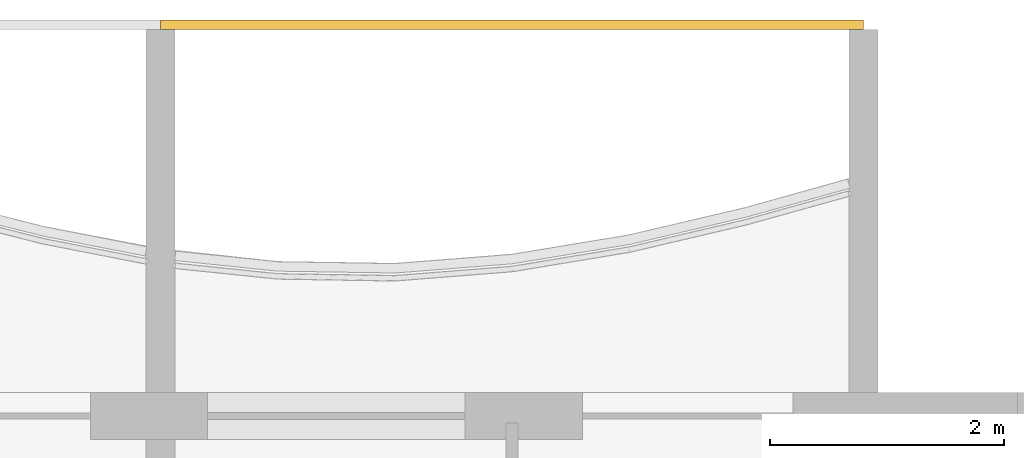
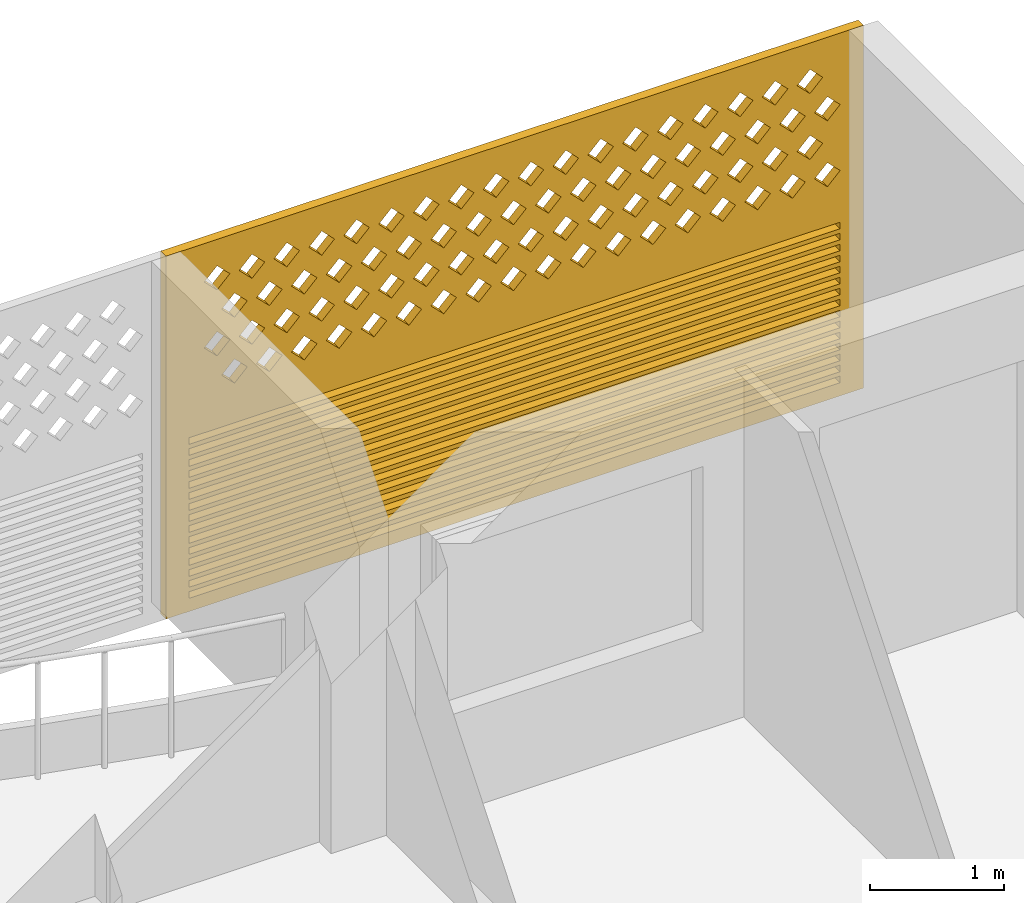
# One storey, part 29 of 29: 1 covering.
"""IFC4 building model written with IfcOpenShell, lengths in metres."""

import ifcopenshell
import ifcopenshell.guid

model = None  # the IFC model being written
_history = None  # IfcOwnerHistory: only IFC2X3 demands one
_inside = {}  # id of a spatial element -> (the spatial element, [elements in it])
_under = {}  # id of a project, library or spatial element -> (it, [spatial elements below it])
_declared = {}  # id of a project -> (the project, [libraries it declares])
_typed = {}  # id of a type object -> (the type object, [elements of that type])
_made_of = {}  # id of a material, layer set ... -> (it, [elements and type objects made of it])


def new_model(schema):
    """Start an empty IFC model of exactly this schema.

    Asked for "IFC4X3", IfcOpenShell would pick the latest addendum, in which some entities
    have other attributes; the version numbers below select the first issue.
    IFC2X3 requires an IfcOwnerHistory on every rooted entity: one is made here for all.
    """
    global model, _history
    if schema == "IFC4X3":
        model = ifcopenshell.file(schema_version=(4, 3, 0, 0))
    else:
        model = ifcopenshell.file(schema=schema)
    _inside.clear()
    _under.clear()
    _declared.clear()
    _typed.clear()
    _made_of.clear()
    _history = None
    if model.schema == "IFC2X3":
        org = make("IfcOrganization", Name="unknown")
        user = make(
            "IfcPersonAndOrganization",
            ThePerson=make("IfcPerson", FamilyName="unknown"),
            TheOrganization=org,
        )
        app = make(
            "IfcApplication",
            ApplicationDeveloper=org,
            Version="unknown",
            ApplicationFullName="unknown",
            ApplicationIdentifier="unknown",
        )
        _history = make(
            "IfcOwnerHistory",
            OwningUser=user,
            OwningApplication=app,
            ChangeAction="ADDED",
            CreationDate=0,
        )
    return model


def make(cls, **values):
    """One entity of the class cls with the attributes given. An attribute that is None is left unset."""
    return model.create_entity(
        cls, **{name: value for name, value in values.items() if value is not None}
    )


def rooted(cls, **values):
    """An entity with a GlobalId (a new one), such as an element, a storey or a relation."""
    return make(cls, GlobalId=ifcopenshell.guid.new(), OwnerHistory=_history, **values)


def si_unit(unit_type, name, prefix=None):
    """IfcSIUnit, for example si_unit("LENGTHUNIT", "METRE", prefix="MILLI")."""
    return make("IfcSIUnit", UnitType=unit_type, Prefix=prefix, Name=name)


def assignment(units):
    """IfcUnitAssignment: the units of a project."""
    return None if units is None else make("IfcUnitAssignment", Units=units)


def point(xyz):
    """IfcCartesianPoint."""
    return None if xyz is None else make("IfcCartesianPoint", Coordinates=xyz)


def direction(xyz):
    """IfcDirection."""
    return None if xyz is None else make("IfcDirection", DirectionRatios=xyz)


def frame(location, z_axis=None, x_axis=None):
    """IfcAxis2Placement3D, a coordinate frame: its origin and axes. An axis left out is left unset."""
    return make(
        "IfcAxis2Placement3D",
        Location=point(location),
        Axis=direction(z_axis),
        RefDirection=direction(x_axis),
    )


def origin():
    """The frame at (0, 0, 0) with its axes left unset."""
    return frame((0.0, 0.0, 0.0))


def place(relative_to, where):
    """IfcLocalPlacement: puts the frame where relative to a parent placement (None: the world)."""
    return make(
        "IfcLocalPlacement", PlacementRelTo=relative_to, RelativePlacement=where
    )


def context(
    kind, dimensions, precision=None, world=None, true_north=None, identifier=None
):
    """IfcGeometricRepresentationContext, for example the 3D "Model" context."""
    return make(
        "IfcGeometricRepresentationContext",
        ContextIdentifier=identifier,
        ContextType=kind,
        CoordinateSpaceDimension=dimensions,
        Precision=precision,
        WorldCoordinateSystem=world,
        TrueNorth=true_north,
    )


def subcontext(parent, identifier, kind, view, scale=None):
    """IfcGeometricRepresentationSubContext, for example "Body" below "Model"."""
    return make(
        "IfcGeometricRepresentationSubContext",
        ContextIdentifier=identifier,
        ContextType=kind,
        ParentContext=parent,
        TargetScale=scale,
        TargetView=view,
    )


def project(units=None, contexts=None):
    """IfcProject with its units and contexts."""
    return rooted(
        "IfcProject",
        Name="project",
        RepresentationContexts=contexts,
        UnitsInContext=assignment(units),
    )


def spatial(cls, under=None, at=None, **own):
    """A site, building, storey or space (cls), placed at a placement, below another one or the project."""
    s = rooted(cls, ObjectPlacement=at, **own)
    if under is not None:
        _under.setdefault(under.id(), (under, []))[1].append(s)
    return s


def polyline(points):
    """IfcPolyline through the points."""
    return make("IfcPolyline", Points=[point(p) for p in points])


def outline(outer, holes=None, kind="AREA"):
    """IfcArbitraryClosedProfileDef: a profile drawn as a closed curve; with holes, ...WithVoids."""
    if holes is None:
        return make("IfcArbitraryClosedProfileDef", ProfileType=kind, OuterCurve=outer)
    return make(
        "IfcArbitraryProfileDefWithVoids",
        ProfileType=kind,
        OuterCurve=outer,
        InnerCurves=holes,
    )


def extrude(swept, where, along, depth):
    """IfcExtrudedAreaSolid: the profile swept, set in the frame where, extruded along a direction by depth."""
    return make(
        "IfcExtrudedAreaSolid",
        SweptArea=swept,
        Position=where,
        ExtrudedDirection=direction(along),
        Depth=depth,
    )


def shape(context_of_items, identifier, shape_type, items):
    """IfcShapeRepresentation: the items that make up one representation, for example the "Body"."""
    return make(
        "IfcShapeRepresentation",
        ContextOfItems=context_of_items,
        RepresentationIdentifier=identifier,
        RepresentationType=shape_type,
        Items=items,
    )


def source(mapping_origin, context_of_items, identifier, shape_type, items):
    """IfcRepresentationMap: a shape defined once, which mapped items show again and again."""
    return make(
        "IfcRepresentationMap",
        MappingOrigin=mapping_origin,
        MappedRepresentation=shape(context_of_items, identifier, shape_type, items),
    )


def transform(
    local_origin,
    x_axis=None,
    y_axis=None,
    z_axis=None,
    scale=None,
    scale2=None,
    scale3=None,
    uniform=True,
):
    """IfcCartesianTransformationOperator3D, or its non-uniform kind. x_axis, y_axis, z_axis: its Axis1, 2, 3."""
    if uniform:
        return make(
            "IfcCartesianTransformationOperator3D",
            Axis1=direction(x_axis),
            Axis2=direction(y_axis),
            LocalOrigin=point(local_origin),
            Scale=scale,
            Axis3=direction(z_axis),
        )
    return make(
        "IfcCartesianTransformationOperator3DnonUniform",
        Axis1=direction(x_axis),
        Axis2=direction(y_axis),
        LocalOrigin=point(local_origin),
        Scale=scale,
        Axis3=direction(z_axis),
        Scale2=scale2,
        Scale3=scale3,
    )


def mapped(mapping_source, mapping_target):
    """IfcMappedItem: shows the shape of a source again, moved by a transform."""
    return make(
        "IfcMappedItem", MappingSource=mapping_source, MappingTarget=mapping_target
    )


def material(Name=None, Category=None):
    """IfcMaterial."""
    return make("IfcMaterial", Name=Name, Category=Category)


def material_profile(
    of_material, cross_section, Name=None, Category=None, Priority=None
):
    """IfcMaterialProfile: a cross section and its material."""
    return make(
        "IfcMaterialProfile",
        Name=Name,
        Material=of_material,
        Profile=cross_section,
        Priority=Priority,
        Category=Category,
    )


def profile_set(profiles, Name=None, composite=None):
    """IfcMaterialProfileSet."""
    return make(
        "IfcMaterialProfileSet",
        Name=Name,
        MaterialProfiles=profiles,
        CompositeProfile=composite,
    )


def made_of(thing, what):
    """Note that an element or type object is made of a material, layer set ...; save() writes the relation."""
    if what is not None:
        _made_of.setdefault(what.id(), (what, []))[1].append(thing)
    return thing


def type_object(cls, material=None, **own):
    """A type object (cls), such as IfcWallType, which elements share."""
    return made_of(rooted(cls, **own), material)


def element(
    cls,
    number,
    at=None,
    inside=None,
    cuts=None,
    type_object=None,
    material=None,
    context=None,
    identifier="Body",
    shape_type=None,
    held_by="IfcProductDefinitionShape",
    body=None,
    shapes=None,
    **own,
):
    """One element of the class cls, such as IfcWall. Its Tag is "e" and its number.

    at: its placement. inside: the storey or other place that contains it. cuts: it is an
    opening in that element (IfcRelVoidsElement). A single representation is given by context,
    identifier, shape_type and body (its items); several are given by shapes. held_by: the class
    of the entity that holds the representations. save() writes the other relations.
    """
    e = rooted(cls, Tag="e%d" % number, ObjectPlacement=at, **own)
    if body is not None:
        shapes = [shape(context, identifier, shape_type, body)]
    if shapes is not None:
        e.Representation = make(held_by, Representations=shapes)
    if inside is not None:
        _inside.setdefault(inside.id(), (inside, []))[1].append(e)
    if cuts is not None:
        rooted(
            "IfcRelVoidsElement", RelatingBuildingElement=cuts, RelatedOpeningElement=e
        )
    if type_object is not None:
        _typed.setdefault(type_object.id(), (type_object, []))[1].append(e)
    return made_of(e, material)


def aggregate(whole, parts):
    """IfcRelAggregates: a whole, such as a stair, and the parts it consists of."""
    return rooted("IfcRelAggregates", RelatingObject=whole, RelatedObjects=parts)


def save(model, path):
    """Write the relations noted so far, then the file.

    IfcRelAggregates (storeys below a building ...), IfcRelContainedInSpatialStructure (elements
    in a storey), IfcRelDefinesByType, IfcRelAssociatesMaterial and IfcRelDeclares: one each for
    every whole, place, type object, material and project.
    """
    for whole, parts in _under.values():
        aggregate(whole, parts)
    for where, things in _inside.values():
        rooted(
            "IfcRelContainedInSpatialStructure",
            RelatedElements=things,
            RelatingStructure=where,
        )
    for kind, things in _typed.values():
        rooted("IfcRelDefinesByType", RelatedObjects=things, RelatingType=kind)
    for what, things in _made_of.values():
        rooted("IfcRelAssociatesMaterial", RelatedObjects=things, RelatingMaterial=what)
    for by, libraries in _declared.values():
        rooted("IfcRelDeclares", RelatingContext=by, RelatedDefinitions=libraries)
    model.write(path)


model = new_model("IFC4")

# Units and contexts
model_context = context("Model", 3, precision=1e-05, world=origin(), true_north=direction((0.0, 1.0)))
body_context = subcontext(model_context, "Body", "Model", "MODEL_VIEW")
ifc_project = project(units=[si_unit("LENGTHUNIT", "METRE"), si_unit("AREAUNIT", "SQUARE_METRE"), si_unit("VOLUMEUNIT", "CUBIC_METRE"), si_unit("PLANEANGLEUNIT", "RADIAN"), si_unit("MASSUNIT", "GRAM", prefix="KILO")], contexts=[model_context])

# Site, building, storey
site_placement = place(None, origin())
site = spatial("IfcSite", under=ifc_project, at=site_placement, CompositionType="ELEMENT")
building_placement = place(site_placement, origin())
building = spatial("IfcBuilding", under=site, at=building_placement, Name="Poui Terraces", CompositionType="ELEMENT")
storey_placement = place(building_placement, frame((0.0, 0.0, 237.89990234375)))
storey = spatial("IfcBuildingStorey", under=building, at=storey_placement, Name="L66", CompositionType="ELEMENT", Elevation=237.89990234375)

# Covering
ifc_material = material(Name="Terracotta screen", Category="masonry")
ifc_material_profile = material_profile(ifc_material, outline(polyline([(-3.0, -1.64990234375), (3.0, -1.64990234375), (3.0, 1.64990234375), (-3.0, 1.64990234375), (-3.0, -1.64990234375)]), holes=[polyline([(-2.800048828125, 0.39990234375), (-2.68994140625, 0.2900390625), (-2.580078125, 0.39990234375), (-2.68994140625, 0.510009765625), (-2.800048828125, 0.39990234375)]), polyline([(-2.5, 0.39990234375), (-2.389892578125, 0.2900390625), (-2.280029296875, 0.39990234375), (-2.389892578125, 0.510009765625), (-2.5, 0.39990234375)]), polyline([(-2.199951171875, 0.39990234375), (-2.090087890625, 0.2900390625), (-1.97998046875, 0.39990234375), (-2.090087890625, 0.510009765625), (-2.199951171875, 0.39990234375)]), polyline([(-1.89990234375, 0.39990234375), (-1.7900390625, 0.2900390625), (-1.679931640625, 0.39990234375), (-1.7900390625, 0.510009765625), (-1.89990234375, 0.39990234375)]), polyline([(-1.60009765625, 0.39990234375), (-1.489990234375, 0.2900390625), (-1.3798828125, 0.39990234375), (-1.489990234375, 0.510009765625), (-1.60009765625, 0.39990234375)]), polyline([(-1.300048828125, 0.39990234375), (-1.18994140625, 0.2900390625), (-1.080078125, 0.39990234375), (-1.18994140625, 0.510009765625), (-1.300048828125, 0.39990234375)]), polyline([(-1.0, 0.39990234375), (-0.889892578125, 0.2900390625), (-0.780029296875, 0.39990234375), (-0.889892578125, 0.510009765625), (-1.0, 0.39990234375)]), polyline([(-0.699951171875, 0.39990234375), (-0.590087890625, 0.2900390625), (-0.47998046875, 0.39990234375), (-0.590087890625, 0.510009765625), (-0.699951171875, 0.39990234375)]), polyline([(-0.39990234375, 0.39990234375), (-0.2900390625, 0.2900390625), (-0.179931640625, 0.39990234375), (-0.2900390625, 0.510009765625), (-0.39990234375, 0.39990234375)]), polyline([(-0.10009765625, 0.39990234375), (0.010009765625, 0.2900390625), (0.1201171875, 0.39990234375), (0.010009765625, 0.510009765625), (-0.10009765625, 0.39990234375)]), polyline([(0.199951171875, 0.39990234375), (0.31005859375, 0.2900390625), (0.419921875, 0.39990234375), (0.31005859375, 0.510009765625), (0.199951171875, 0.39990234375)]), polyline([(0.5, 0.39990234375), (0.610107421875, 0.2900390625), (0.719970703125, 0.39990234375), (0.610107421875, 0.510009765625), (0.5, 0.39990234375)]), polyline([(0.800048828125, 0.39990234375), (0.909912109375, 0.2900390625), (1.02001953125, 0.39990234375), (0.909912109375, 0.510009765625), (0.800048828125, 0.39990234375)]), polyline([(1.10009765625, 0.39990234375), (1.2099609375, 0.2900390625), (1.320068359375, 0.39990234375), (1.2099609375, 0.510009765625), (1.10009765625, 0.39990234375)]), polyline([(1.39990234375, 0.39990234375), (1.510009765625, 0.2900390625), (1.6201171875, 0.39990234375), (1.510009765625, 0.510009765625), (1.39990234375, 0.39990234375)]), polyline([(1.699951171875, 0.39990234375), (1.81005859375, 0.2900390625), (1.919921875, 0.39990234375), (1.81005859375, 0.510009765625), (1.699951171875, 0.39990234375)]), polyline([(2.0, 0.39990234375), (2.110107421875, 0.2900390625), (2.219970703125, 0.39990234375), (2.110107421875, 0.510009765625), (2.0, 0.39990234375)]), polyline([(2.300048828125, 0.39990234375), (2.409912109375, 0.2900390625), (2.52001953125, 0.39990234375), (2.409912109375, 0.510009765625), (2.300048828125, 0.39990234375)]), polyline([(-2.64990234375, 0.699951171875), (-2.5400390625, 0.590087890625), (-2.429931640625, 0.699951171875), (-2.5400390625, 0.81005859375), (-2.64990234375, 0.699951171875)]), polyline([(-2.35009765625, 0.699951171875), (-2.239990234375, 0.590087890625), (-2.1298828125, 0.699951171875), (-2.239990234375, 0.81005859375), (-2.35009765625, 0.699951171875)]), polyline([(-2.050048828125, 0.699951171875), (-1.93994140625, 0.590087890625), (-1.830078125, 0.699951171875), (-1.93994140625, 0.81005859375), (-2.050048828125, 0.699951171875)]), polyline([(-1.75, 0.699951171875), (-1.639892578125, 0.590087890625), (-1.530029296875, 0.699951171875), (-1.639892578125, 0.81005859375), (-1.75, 0.699951171875)]), polyline([(-1.449951171875, 0.699951171875), (-1.340087890625, 0.590087890625), (-1.22998046875, 0.699951171875), (-1.340087890625, 0.81005859375), (-1.449951171875, 0.699951171875)]), polyline([(-1.14990234375, 0.699951171875), (-1.0400390625, 0.590087890625), (-0.929931640625, 0.699951171875), (-1.0400390625, 0.81005859375), (-1.14990234375, 0.699951171875)]), polyline([(-0.85009765625, 0.699951171875), (-0.739990234375, 0.590087890625), (-0.6298828125, 0.699951171875), (-0.739990234375, 0.81005859375), (-0.85009765625, 0.699951171875)]), polyline([(-0.550048828125, 0.699951171875), (-0.43994140625, 0.590087890625), (-0.330078125, 0.699951171875), (-0.43994140625, 0.81005859375), (-0.550048828125, 0.699951171875)]), polyline([(-0.25, 0.699951171875), (-0.139892578125, 0.590087890625), (-0.030029296875, 0.699951171875), (-0.139892578125, 0.81005859375), (-0.25, 0.699951171875)]), polyline([(0.050048828125, 0.699951171875), (0.159912109375, 0.590087890625), (0.27001953125, 0.699951171875), (0.159912109375, 0.81005859375), (0.050048828125, 0.699951171875)]), polyline([(0.35009765625, 0.699951171875), (0.4599609375, 0.590087890625), (0.570068359375, 0.699951171875), (0.4599609375, 0.81005859375), (0.35009765625, 0.699951171875)]), polyline([(0.64990234375, 0.699951171875), (0.760009765625, 0.590087890625), (0.8701171875, 0.699951171875), (0.760009765625, 0.81005859375), (0.64990234375, 0.699951171875)]), polyline([(0.949951171875, 0.699951171875), (1.06005859375, 0.590087890625), (1.169921875, 0.699951171875), (1.06005859375, 0.81005859375), (0.949951171875, 0.699951171875)]), polyline([(1.25, 0.699951171875), (1.360107421875, 0.590087890625), (1.469970703125, 0.699951171875), (1.360107421875, 0.81005859375), (1.25, 0.699951171875)]), polyline([(1.550048828125, 0.699951171875), (1.659912109375, 0.590087890625), (1.77001953125, 0.699951171875), (1.659912109375, 0.81005859375), (1.550048828125, 0.699951171875)]), polyline([(1.85009765625, 0.699951171875), (1.9599609375, 0.590087890625), (2.070068359375, 0.699951171875), (1.9599609375, 0.81005859375), (1.85009765625, 0.699951171875)]), polyline([(2.14990234375, 0.699951171875), (2.260009765625, 0.590087890625), (2.3701171875, 0.699951171875), (2.260009765625, 0.81005859375), (2.14990234375, 0.699951171875)]), polyline([(2.449951171875, 0.699951171875), (2.56005859375, 0.590087890625), (2.669921875, 0.699951171875), (2.56005859375, 0.81005859375), (2.449951171875, 0.699951171875)]), polyline([(-2.800048828125, 1.0), (-2.68994140625, 0.889892578125), (-2.580078125, 1.0), (-2.68994140625, 1.110107421875), (-2.800048828125, 1.0)]), polyline([(-2.5, 1.0), (-2.389892578125, 0.889892578125), (-2.280029296875, 1.0), (-2.389892578125, 1.110107421875), (-2.5, 1.0)]), polyline([(-2.199951171875, 1.0), (-2.090087890625, 0.889892578125), (-1.97998046875, 1.0), (-2.090087890625, 1.110107421875), (-2.199951171875, 1.0)]), polyline([(-1.89990234375, 1.0), (-1.7900390625, 0.889892578125), (-1.679931640625, 1.0), (-1.7900390625, 1.110107421875), (-1.89990234375, 1.0)]), polyline([(-1.60009765625, 1.0), (-1.489990234375, 0.889892578125), (-1.3798828125, 1.0), (-1.489990234375, 1.110107421875), (-1.60009765625, 1.0)]), polyline([(-1.300048828125, 1.0), (-1.18994140625, 0.889892578125), (-1.080078125, 1.0), (-1.18994140625, 1.110107421875), (-1.300048828125, 1.0)]), polyline([(-1.0, 1.0), (-0.889892578125, 0.889892578125), (-0.780029296875, 1.0), (-0.889892578125, 1.110107421875), (-1.0, 1.0)]), polyline([(-0.699951171875, 1.0), (-0.590087890625, 0.889892578125), (-0.47998046875, 1.0), (-0.590087890625, 1.110107421875), (-0.699951171875, 1.0)]), polyline([(-0.39990234375, 1.0), (-0.2900390625, 0.889892578125), (-0.179931640625, 1.0), (-0.2900390625, 1.110107421875), (-0.39990234375, 1.0)]), polyline([(-0.10009765625, 1.0), (0.010009765625, 0.889892578125), (0.1201171875, 1.0), (0.010009765625, 1.110107421875), (-0.10009765625, 1.0)]), polyline([(0.199951171875, 1.0), (0.31005859375, 0.889892578125), (0.419921875, 1.0), (0.31005859375, 1.110107421875), (0.199951171875, 1.0)]), polyline([(0.5, 1.0), (0.610107421875, 0.889892578125), (0.719970703125, 1.0), (0.610107421875, 1.110107421875), (0.5, 1.0)]), polyline([(0.800048828125, 1.0), (0.909912109375, 0.889892578125), (1.02001953125, 1.0), (0.909912109375, 1.110107421875), (0.800048828125, 1.0)]), polyline([(1.10009765625, 1.0), (1.2099609375, 0.889892578125), (1.320068359375, 1.0), (1.2099609375, 1.110107421875), (1.10009765625, 1.0)]), polyline([(1.39990234375, 1.0), (1.510009765625, 0.889892578125), (1.6201171875, 1.0), (1.510009765625, 1.110107421875), (1.39990234375, 1.0)]), polyline([(1.699951171875, 1.0), (1.81005859375, 0.889892578125), (1.919921875, 1.0), (1.81005859375, 1.110107421875), (1.699951171875, 1.0)]), polyline([(2.0, 1.0), (2.110107421875, 0.889892578125), (2.219970703125, 1.0), (2.110107421875, 1.110107421875), (2.0, 1.0)]), polyline([(2.300048828125, 1.0), (2.409912109375, 0.889892578125), (2.52001953125, 1.0), (2.409912109375, 1.110107421875), (2.300048828125, 1.0)]), polyline([(-2.64990234375, 1.300048828125), (-2.5400390625, 1.18994140625), (-2.429931640625, 1.300048828125), (-2.5400390625, 1.409912109375), (-2.64990234375, 1.300048828125)]), polyline([(-2.35009765625, 1.300048828125), (-2.239990234375, 1.18994140625), (-2.1298828125, 1.300048828125), (-2.239990234375, 1.409912109375), (-2.35009765625, 1.300048828125)]), polyline([(-2.050048828125, 1.300048828125), (-1.93994140625, 1.18994140625), (-1.830078125, 1.300048828125), (-1.93994140625, 1.409912109375), (-2.050048828125, 1.300048828125)]), polyline([(-1.75, 1.300048828125), (-1.639892578125, 1.18994140625), (-1.530029296875, 1.300048828125), (-1.639892578125, 1.409912109375), (-1.75, 1.300048828125)]), polyline([(-1.449951171875, 1.300048828125), (-1.340087890625, 1.18994140625), (-1.22998046875, 1.300048828125), (-1.340087890625, 1.409912109375), (-1.449951171875, 1.300048828125)]), polyline([(-1.14990234375, 1.300048828125), (-1.0400390625, 1.18994140625), (-0.929931640625, 1.300048828125), (-1.0400390625, 1.409912109375), (-1.14990234375, 1.300048828125)]), polyline([(-0.85009765625, 1.300048828125), (-0.739990234375, 1.18994140625), (-0.6298828125, 1.300048828125), (-0.739990234375, 1.409912109375), (-0.85009765625, 1.300048828125)]), polyline([(-0.550048828125, 1.300048828125), (-0.43994140625, 1.18994140625), (-0.330078125, 1.300048828125), (-0.43994140625, 1.409912109375), (-0.550048828125, 1.300048828125)]), polyline([(-0.25, 1.300048828125), (-0.139892578125, 1.18994140625), (-0.030029296875, 1.300048828125), (-0.139892578125, 1.409912109375), (-0.25, 1.300048828125)]), polyline([(0.050048828125, 1.300048828125), (0.159912109375, 1.18994140625), (0.27001953125, 1.300048828125), (0.159912109375, 1.409912109375), (0.050048828125, 1.300048828125)]), polyline([(0.35009765625, 1.300048828125), (0.4599609375, 1.18994140625), (0.570068359375, 1.300048828125), (0.4599609375, 1.409912109375), (0.35009765625, 1.300048828125)]), polyline([(0.64990234375, 1.300048828125), (0.760009765625, 1.18994140625), (0.8701171875, 1.300048828125), (0.760009765625, 1.409912109375), (0.64990234375, 1.300048828125)]), polyline([(0.949951171875, 1.300048828125), (1.06005859375, 1.18994140625), (1.169921875, 1.300048828125), (1.06005859375, 1.409912109375), (0.949951171875, 1.300048828125)]), polyline([(1.25, 1.300048828125), (1.360107421875, 1.18994140625), (1.469970703125, 1.300048828125), (1.360107421875, 1.409912109375), (1.25, 1.300048828125)]), polyline([(1.550048828125, 1.300048828125), (1.659912109375, 1.18994140625), (1.77001953125, 1.300048828125), (1.659912109375, 1.409912109375), (1.550048828125, 1.300048828125)]), polyline([(1.85009765625, 1.300048828125), (1.9599609375, 1.18994140625), (2.070068359375, 1.300048828125), (1.9599609375, 1.409912109375), (1.85009765625, 1.300048828125)]), polyline([(2.14990234375, 1.300048828125), (2.260009765625, 1.18994140625), (2.3701171875, 1.300048828125), (2.260009765625, 1.409912109375), (2.14990234375, 1.300048828125)]), polyline([(2.449951171875, 1.300048828125), (2.56005859375, 1.18994140625), (2.669921875, 1.300048828125), (2.56005859375, 1.409912109375), (2.449951171875, 1.300048828125)]), polyline([(-2.800048828125, -1.530029296875), (2.800048828125, -1.530029296875), (2.800048828125, -1.469970703125), (-2.800048828125, -1.469970703125), (-2.800048828125, -1.530029296875)]), polyline([(-2.800048828125, -1.429931640625), (2.800048828125, -1.429931640625), (2.800048828125, -1.3701171875), (-2.800048828125, -1.3701171875), (-2.800048828125, -1.429931640625)]), polyline([(-2.800048828125, -1.330078125), (2.800048828125, -1.330078125), (2.800048828125, -1.27001953125), (-2.800048828125, -1.27001953125), (-2.800048828125, -1.330078125)]), polyline([(-2.800048828125, -1.22998046875), (2.800048828125, -1.22998046875), (2.800048828125, -1.169921875), (-2.800048828125, -1.169921875), (-2.800048828125, -1.22998046875)]), polyline([(-2.800048828125, -1.1298828125), (2.800048828125, -1.1298828125), (2.800048828125, -1.070068359375), (-2.800048828125, -1.070068359375), (-2.800048828125, -1.1298828125)]), polyline([(-2.800048828125, -1.030029296875), (2.800048828125, -1.030029296875), (2.800048828125, -0.969970703125), (-2.800048828125, -0.969970703125), (-2.800048828125, -1.030029296875)]), polyline([(-2.800048828125, -0.929931640625), (2.800048828125, -0.929931640625), (2.800048828125, -0.8701171875), (-2.800048828125, -0.8701171875), (-2.800048828125, -0.929931640625)]), polyline([(-2.800048828125, -0.830078125), (2.800048828125, -0.830078125), (2.800048828125, -0.77001953125), (-2.800048828125, -0.77001953125), (-2.800048828125, -0.830078125)]), polyline([(-2.800048828125, -0.72998046875), (2.800048828125, -0.72998046875), (2.800048828125, -0.669921875), (-2.800048828125, -0.669921875), (-2.800048828125, -0.72998046875)]), polyline([(-2.800048828125, -0.6298828125), (2.800048828125, -0.6298828125), (2.800048828125, -0.570068359375), (-2.800048828125, -0.570068359375), (-2.800048828125, -0.6298828125)]), polyline([(-2.800048828125, -0.530029296875), (2.800048828125, -0.530029296875), (2.800048828125, -0.469970703125), (-2.800048828125, -0.469970703125), (-2.800048828125, -0.530029296875)]), polyline([(-2.800048828125, -0.429931640625), (2.800048828125, -0.429931640625), (2.800048828125, -0.3701171875), (-2.800048828125, -0.3701171875), (-2.800048828125, -0.429931640625)]), polyline([(-2.800048828125, -0.330078125), (2.800048828125, -0.330078125), (2.800048828125, -0.27001953125), (-2.800048828125, -0.27001953125), (-2.800048828125, -0.330078125)]), polyline([(-2.800048828125, -0.22998046875), (2.800048828125, -0.22998046875), (2.800048828125, -0.169921875), (-2.800048828125, -0.169921875), (-2.800048828125, -0.22998046875)]), polyline([(-2.800048828125, -0.1298828125), (2.800048828125, -0.1298828125), (2.800048828125, -0.070068359375), (-2.800048828125, -0.070068359375), (-2.800048828125, -0.1298828125)])]), Name="TERRACOTTA SCREEN AND JALOUSIE LOUVRE 6000X3300")
ifc_profile_set = profile_set([ifc_material_profile], Name="Terracotta screen")
covering_type = type_object("IfcCoveringType", Name="TERRACOTTA SCREEN AND JALOUSIE LOUVRE 6000X3300", PredefinedType="CLADDING", material=ifc_profile_set)
shared_shape = source(origin(), body_context, "Body", "SweptSolid", [
    extrude(outline(polyline([(-3.0, -1.64990234375), (3.0, -1.64990234375), (3.0, 1.64990234375), (-3.0, 1.64990234375), (-3.0, -1.64990234375)]), holes=[polyline([(-2.800048828125, 0.39990234375), (-2.68994140625, 0.2900390625), (-2.580078125, 0.39990234375), (-2.68994140625, 0.510009765625), (-2.800048828125, 0.39990234375)]), polyline([(-2.5, 0.39990234375), (-2.389892578125, 0.2900390625), (-2.280029296875, 0.39990234375), (-2.389892578125, 0.510009765625), (-2.5, 0.39990234375)]), polyline([(-2.199951171875, 0.39990234375), (-2.090087890625, 0.2900390625), (-1.97998046875, 0.39990234375), (-2.090087890625, 0.510009765625), (-2.199951171875, 0.39990234375)]), polyline([(-1.89990234375, 0.39990234375), (-1.7900390625, 0.2900390625), (-1.679931640625, 0.39990234375), (-1.7900390625, 0.510009765625), (-1.89990234375, 0.39990234375)]), polyline([(-1.60009765625, 0.39990234375), (-1.489990234375, 0.2900390625), (-1.3798828125, 0.39990234375), (-1.489990234375, 0.510009765625), (-1.60009765625, 0.39990234375)]), polyline([(-1.300048828125, 0.39990234375), (-1.18994140625, 0.2900390625), (-1.080078125, 0.39990234375), (-1.18994140625, 0.510009765625), (-1.300048828125, 0.39990234375)]), polyline([(-1.0, 0.39990234375), (-0.889892578125, 0.2900390625), (-0.780029296875, 0.39990234375), (-0.889892578125, 0.510009765625), (-1.0, 0.39990234375)]), polyline([(-0.699951171875, 0.39990234375), (-0.590087890625, 0.2900390625), (-0.47998046875, 0.39990234375), (-0.590087890625, 0.510009765625), (-0.699951171875, 0.39990234375)]), polyline([(-0.39990234375, 0.39990234375), (-0.2900390625, 0.2900390625), (-0.179931640625, 0.39990234375), (-0.2900390625, 0.510009765625), (-0.39990234375, 0.39990234375)]), polyline([(-0.10009765625, 0.39990234375), (0.010009765625, 0.2900390625), (0.1201171875, 0.39990234375), (0.010009765625, 0.510009765625), (-0.10009765625, 0.39990234375)]), polyline([(0.199951171875, 0.39990234375), (0.31005859375, 0.2900390625), (0.419921875, 0.39990234375), (0.31005859375, 0.510009765625), (0.199951171875, 0.39990234375)]), polyline([(0.5, 0.39990234375), (0.610107421875, 0.2900390625), (0.719970703125, 0.39990234375), (0.610107421875, 0.510009765625), (0.5, 0.39990234375)]), polyline([(0.800048828125, 0.39990234375), (0.909912109375, 0.2900390625), (1.02001953125, 0.39990234375), (0.909912109375, 0.510009765625), (0.800048828125, 0.39990234375)]), polyline([(1.10009765625, 0.39990234375), (1.2099609375, 0.2900390625), (1.320068359375, 0.39990234375), (1.2099609375, 0.510009765625), (1.10009765625, 0.39990234375)]), polyline([(1.39990234375, 0.39990234375), (1.510009765625, 0.2900390625), (1.6201171875, 0.39990234375), (1.510009765625, 0.510009765625), (1.39990234375, 0.39990234375)]), polyline([(1.699951171875, 0.39990234375), (1.81005859375, 0.2900390625), (1.919921875, 0.39990234375), (1.81005859375, 0.510009765625), (1.699951171875, 0.39990234375)]), polyline([(2.0, 0.39990234375), (2.110107421875, 0.2900390625), (2.219970703125, 0.39990234375), (2.110107421875, 0.510009765625), (2.0, 0.39990234375)]), polyline([(2.300048828125, 0.39990234375), (2.409912109375, 0.2900390625), (2.52001953125, 0.39990234375), (2.409912109375, 0.510009765625), (2.300048828125, 0.39990234375)]), polyline([(-2.64990234375, 0.699951171875), (-2.5400390625, 0.590087890625), (-2.429931640625, 0.699951171875), (-2.5400390625, 0.81005859375), (-2.64990234375, 0.699951171875)]), polyline([(-2.35009765625, 0.699951171875), (-2.239990234375, 0.590087890625), (-2.1298828125, 0.699951171875), (-2.239990234375, 0.81005859375), (-2.35009765625, 0.699951171875)]), polyline([(-2.050048828125, 0.699951171875), (-1.93994140625, 0.590087890625), (-1.830078125, 0.699951171875), (-1.93994140625, 0.81005859375), (-2.050048828125, 0.699951171875)]), polyline([(-1.75, 0.699951171875), (-1.639892578125, 0.590087890625), (-1.530029296875, 0.699951171875), (-1.639892578125, 0.81005859375), (-1.75, 0.699951171875)]), polyline([(-1.449951171875, 0.699951171875), (-1.340087890625, 0.590087890625), (-1.22998046875, 0.699951171875), (-1.340087890625, 0.81005859375), (-1.449951171875, 0.699951171875)]), polyline([(-1.14990234375, 0.699951171875), (-1.0400390625, 0.590087890625), (-0.929931640625, 0.699951171875), (-1.0400390625, 0.81005859375), (-1.14990234375, 0.699951171875)]), polyline([(-0.85009765625, 0.699951171875), (-0.739990234375, 0.590087890625), (-0.6298828125, 0.699951171875), (-0.739990234375, 0.81005859375), (-0.85009765625, 0.699951171875)]), polyline([(-0.550048828125, 0.699951171875), (-0.43994140625, 0.590087890625), (-0.330078125, 0.699951171875), (-0.43994140625, 0.81005859375), (-0.550048828125, 0.699951171875)]), polyline([(-0.25, 0.699951171875), (-0.139892578125, 0.590087890625), (-0.030029296875, 0.699951171875), (-0.139892578125, 0.81005859375), (-0.25, 0.699951171875)]), polyline([(0.050048828125, 0.699951171875), (0.159912109375, 0.590087890625), (0.27001953125, 0.699951171875), (0.159912109375, 0.81005859375), (0.050048828125, 0.699951171875)]), polyline([(0.35009765625, 0.699951171875), (0.4599609375, 0.590087890625), (0.570068359375, 0.699951171875), (0.4599609375, 0.81005859375), (0.35009765625, 0.699951171875)]), polyline([(0.64990234375, 0.699951171875), (0.760009765625, 0.590087890625), (0.8701171875, 0.699951171875), (0.760009765625, 0.81005859375), (0.64990234375, 0.699951171875)]), polyline([(0.949951171875, 0.699951171875), (1.06005859375, 0.590087890625), (1.169921875, 0.699951171875), (1.06005859375, 0.81005859375), (0.949951171875, 0.699951171875)]), polyline([(1.25, 0.699951171875), (1.360107421875, 0.590087890625), (1.469970703125, 0.699951171875), (1.360107421875, 0.81005859375), (1.25, 0.699951171875)]), polyline([(1.550048828125, 0.699951171875), (1.659912109375, 0.590087890625), (1.77001953125, 0.699951171875), (1.659912109375, 0.81005859375), (1.550048828125, 0.699951171875)]), polyline([(1.85009765625, 0.699951171875), (1.9599609375, 0.590087890625), (2.070068359375, 0.699951171875), (1.9599609375, 0.81005859375), (1.85009765625, 0.699951171875)]), polyline([(2.14990234375, 0.699951171875), (2.260009765625, 0.590087890625), (2.3701171875, 0.699951171875), (2.260009765625, 0.81005859375), (2.14990234375, 0.699951171875)]), polyline([(2.449951171875, 0.699951171875), (2.56005859375, 0.590087890625), (2.669921875, 0.699951171875), (2.56005859375, 0.81005859375), (2.449951171875, 0.699951171875)]), polyline([(-2.800048828125, 1.0), (-2.68994140625, 0.889892578125), (-2.580078125, 1.0), (-2.68994140625, 1.110107421875), (-2.800048828125, 1.0)]), polyline([(-2.5, 1.0), (-2.389892578125, 0.889892578125), (-2.280029296875, 1.0), (-2.389892578125, 1.110107421875), (-2.5, 1.0)]), polyline([(-2.199951171875, 1.0), (-2.090087890625, 0.889892578125), (-1.97998046875, 1.0), (-2.090087890625, 1.110107421875), (-2.199951171875, 1.0)]), polyline([(-1.89990234375, 1.0), (-1.7900390625, 0.889892578125), (-1.679931640625, 1.0), (-1.7900390625, 1.110107421875), (-1.89990234375, 1.0)]), polyline([(-1.60009765625, 1.0), (-1.489990234375, 0.889892578125), (-1.3798828125, 1.0), (-1.489990234375, 1.110107421875), (-1.60009765625, 1.0)]), polyline([(-1.300048828125, 1.0), (-1.18994140625, 0.889892578125), (-1.080078125, 1.0), (-1.18994140625, 1.110107421875), (-1.300048828125, 1.0)]), polyline([(-1.0, 1.0), (-0.889892578125, 0.889892578125), (-0.780029296875, 1.0), (-0.889892578125, 1.110107421875), (-1.0, 1.0)]), polyline([(-0.699951171875, 1.0), (-0.590087890625, 0.889892578125), (-0.47998046875, 1.0), (-0.590087890625, 1.110107421875), (-0.699951171875, 1.0)]), polyline([(-0.39990234375, 1.0), (-0.2900390625, 0.889892578125), (-0.179931640625, 1.0), (-0.2900390625, 1.110107421875), (-0.39990234375, 1.0)]), polyline([(-0.10009765625, 1.0), (0.010009765625, 0.889892578125), (0.1201171875, 1.0), (0.010009765625, 1.110107421875), (-0.10009765625, 1.0)]), polyline([(0.199951171875, 1.0), (0.31005859375, 0.889892578125), (0.419921875, 1.0), (0.31005859375, 1.110107421875), (0.199951171875, 1.0)]), polyline([(0.5, 1.0), (0.610107421875, 0.889892578125), (0.719970703125, 1.0), (0.610107421875, 1.110107421875), (0.5, 1.0)]), polyline([(0.800048828125, 1.0), (0.909912109375, 0.889892578125), (1.02001953125, 1.0), (0.909912109375, 1.110107421875), (0.800048828125, 1.0)]), polyline([(1.10009765625, 1.0), (1.2099609375, 0.889892578125), (1.320068359375, 1.0), (1.2099609375, 1.110107421875), (1.10009765625, 1.0)]), polyline([(1.39990234375, 1.0), (1.510009765625, 0.889892578125), (1.6201171875, 1.0), (1.510009765625, 1.110107421875), (1.39990234375, 1.0)]), polyline([(1.699951171875, 1.0), (1.81005859375, 0.889892578125), (1.919921875, 1.0), (1.81005859375, 1.110107421875), (1.699951171875, 1.0)]), polyline([(2.0, 1.0), (2.110107421875, 0.889892578125), (2.219970703125, 1.0), (2.110107421875, 1.110107421875), (2.0, 1.0)]), polyline([(2.300048828125, 1.0), (2.409912109375, 0.889892578125), (2.52001953125, 1.0), (2.409912109375, 1.110107421875), (2.300048828125, 1.0)]), polyline([(-2.64990234375, 1.300048828125), (-2.5400390625, 1.18994140625), (-2.429931640625, 1.300048828125), (-2.5400390625, 1.409912109375), (-2.64990234375, 1.300048828125)]), polyline([(-2.35009765625, 1.300048828125), (-2.239990234375, 1.18994140625), (-2.1298828125, 1.300048828125), (-2.239990234375, 1.409912109375), (-2.35009765625, 1.300048828125)]), polyline([(-2.050048828125, 1.300048828125), (-1.93994140625, 1.18994140625), (-1.830078125, 1.300048828125), (-1.93994140625, 1.409912109375), (-2.050048828125, 1.300048828125)]), polyline([(-1.75, 1.300048828125), (-1.639892578125, 1.18994140625), (-1.530029296875, 1.300048828125), (-1.639892578125, 1.409912109375), (-1.75, 1.300048828125)]), polyline([(-1.449951171875, 1.300048828125), (-1.340087890625, 1.18994140625), (-1.22998046875, 1.300048828125), (-1.340087890625, 1.409912109375), (-1.449951171875, 1.300048828125)]), polyline([(-1.14990234375, 1.300048828125), (-1.0400390625, 1.18994140625), (-0.929931640625, 1.300048828125), (-1.0400390625, 1.409912109375), (-1.14990234375, 1.300048828125)]), polyline([(-0.85009765625, 1.300048828125), (-0.739990234375, 1.18994140625), (-0.6298828125, 1.300048828125), (-0.739990234375, 1.409912109375), (-0.85009765625, 1.300048828125)]), polyline([(-0.550048828125, 1.300048828125), (-0.43994140625, 1.18994140625), (-0.330078125, 1.300048828125), (-0.43994140625, 1.409912109375), (-0.550048828125, 1.300048828125)]), polyline([(-0.25, 1.300048828125), (-0.139892578125, 1.18994140625), (-0.030029296875, 1.300048828125), (-0.139892578125, 1.409912109375), (-0.25, 1.300048828125)]), polyline([(0.050048828125, 1.300048828125), (0.159912109375, 1.18994140625), (0.27001953125, 1.300048828125), (0.159912109375, 1.409912109375), (0.050048828125, 1.300048828125)]), polyline([(0.35009765625, 1.300048828125), (0.4599609375, 1.18994140625), (0.570068359375, 1.300048828125), (0.4599609375, 1.409912109375), (0.35009765625, 1.300048828125)]), polyline([(0.64990234375, 1.300048828125), (0.760009765625, 1.18994140625), (0.8701171875, 1.300048828125), (0.760009765625, 1.409912109375), (0.64990234375, 1.300048828125)]), polyline([(0.949951171875, 1.300048828125), (1.06005859375, 1.18994140625), (1.169921875, 1.300048828125), (1.06005859375, 1.409912109375), (0.949951171875, 1.300048828125)]), polyline([(1.25, 1.300048828125), (1.360107421875, 1.18994140625), (1.469970703125, 1.300048828125), (1.360107421875, 1.409912109375), (1.25, 1.300048828125)]), polyline([(1.550048828125, 1.300048828125), (1.659912109375, 1.18994140625), (1.77001953125, 1.300048828125), (1.659912109375, 1.409912109375), (1.550048828125, 1.300048828125)]), polyline([(1.85009765625, 1.300048828125), (1.9599609375, 1.18994140625), (2.070068359375, 1.300048828125), (1.9599609375, 1.409912109375), (1.85009765625, 1.300048828125)]), polyline([(2.14990234375, 1.300048828125), (2.260009765625, 1.18994140625), (2.3701171875, 1.300048828125), (2.260009765625, 1.409912109375), (2.14990234375, 1.300048828125)]), polyline([(2.449951171875, 1.300048828125), (2.56005859375, 1.18994140625), (2.669921875, 1.300048828125), (2.56005859375, 1.409912109375), (2.449951171875, 1.300048828125)]), polyline([(-2.800048828125, -1.530029296875), (2.800048828125, -1.530029296875), (2.800048828125, -1.469970703125), (-2.800048828125, -1.469970703125), (-2.800048828125, -1.530029296875)]), polyline([(-2.800048828125, -1.429931640625), (2.800048828125, -1.429931640625), (2.800048828125, -1.3701171875), (-2.800048828125, -1.3701171875), (-2.800048828125, -1.429931640625)]), polyline([(-2.800048828125, -1.330078125), (2.800048828125, -1.330078125), (2.800048828125, -1.27001953125), (-2.800048828125, -1.27001953125), (-2.800048828125, -1.330078125)]), polyline([(-2.800048828125, -1.22998046875), (2.800048828125, -1.22998046875), (2.800048828125, -1.169921875), (-2.800048828125, -1.169921875), (-2.800048828125, -1.22998046875)]), polyline([(-2.800048828125, -1.1298828125), (2.800048828125, -1.1298828125), (2.800048828125, -1.070068359375), (-2.800048828125, -1.070068359375), (-2.800048828125, -1.1298828125)]), polyline([(-2.800048828125, -1.030029296875), (2.800048828125, -1.030029296875), (2.800048828125, -0.969970703125), (-2.800048828125, -0.969970703125), (-2.800048828125, -1.030029296875)]), polyline([(-2.800048828125, -0.929931640625), (2.800048828125, -0.929931640625), (2.800048828125, -0.8701171875), (-2.800048828125, -0.8701171875), (-2.800048828125, -0.929931640625)]), polyline([(-2.800048828125, -0.830078125), (2.800048828125, -0.830078125), (2.800048828125, -0.77001953125), (-2.800048828125, -0.77001953125), (-2.800048828125, -0.830078125)]), polyline([(-2.800048828125, -0.72998046875), (2.800048828125, -0.72998046875), (2.800048828125, -0.669921875), (-2.800048828125, -0.669921875), (-2.800048828125, -0.72998046875)]), polyline([(-2.800048828125, -0.6298828125), (2.800048828125, -0.6298828125), (2.800048828125, -0.570068359375), (-2.800048828125, -0.570068359375), (-2.800048828125, -0.6298828125)]), polyline([(-2.800048828125, -0.530029296875), (2.800048828125, -0.530029296875), (2.800048828125, -0.469970703125), (-2.800048828125, -0.469970703125), (-2.800048828125, -0.530029296875)]), polyline([(-2.800048828125, -0.429931640625), (2.800048828125, -0.429931640625), (2.800048828125, -0.3701171875), (-2.800048828125, -0.3701171875), (-2.800048828125, -0.429931640625)]), polyline([(-2.800048828125, -0.330078125), (2.800048828125, -0.330078125), (2.800048828125, -0.27001953125), (-2.800048828125, -0.27001953125), (-2.800048828125, -0.330078125)]), polyline([(-2.800048828125, -0.22998046875), (2.800048828125, -0.22998046875), (2.800048828125, -0.169921875), (-2.800048828125, -0.169921875), (-2.800048828125, -0.22998046875)]), polyline([(-2.800048828125, -0.1298828125), (2.800048828125, -0.1298828125), (2.800048828125, -0.070068359375), (-2.800048828125, -0.070068359375), (-2.800048828125, -0.1298828125)])]), origin(), (0.0, 0.0, 1.0), 0.080078125),
])
covering_placement = place(storey_placement, frame((75.0, 44.5, 1.4501953125), z_axis=(0.0, 1.0, 0.0), x_axis=(-1.0, 0.0, 0.0)))
element("IfcCovering", 1, at=covering_placement, inside=storey, type_object=covering_type, Name="SOLAR SCREEN AND JALOUSIE LOUVRE", PredefinedType="CLADDING", context=body_context, shape_type="MappedRepresentation", body=[
    mapped(shared_shape, transform((0.0, 0.0, 0.0))),
])

save(model, "model.ifc")
